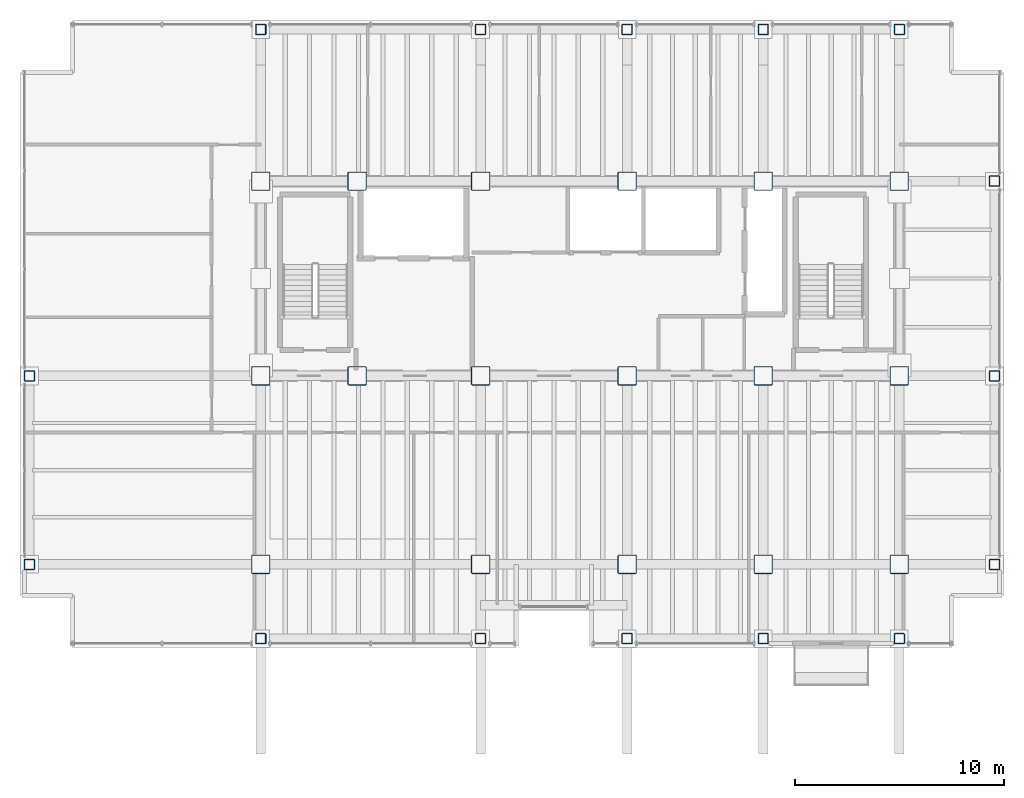
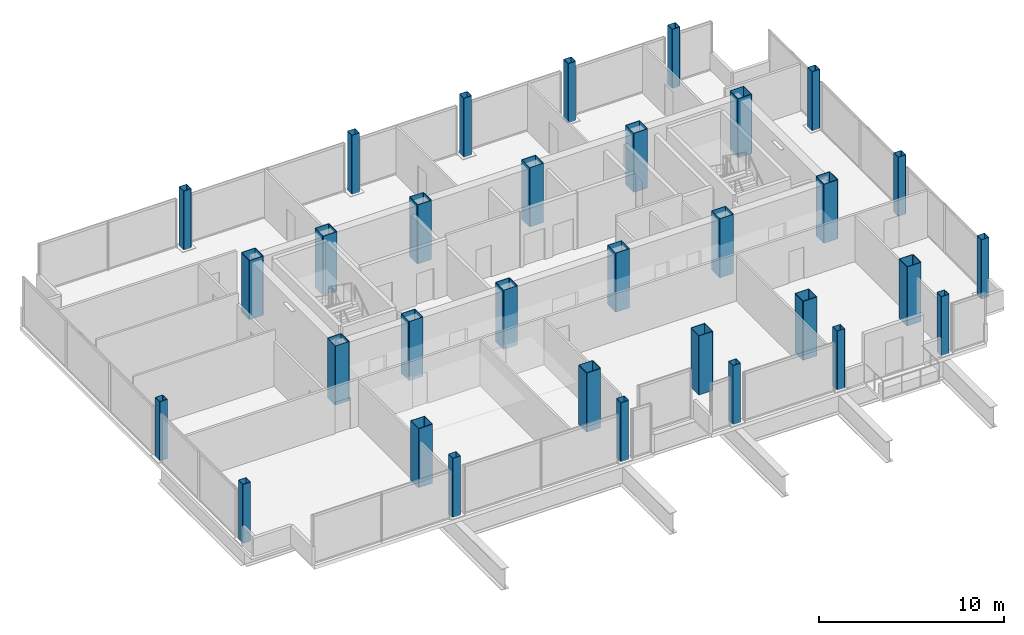
# One storey, part 1 of 24: 32 columns.
"""IFC4 building model written with IfcOpenShell, lengths in metres."""

from ifc_helpers import new_model, si_unit, direction, frame, origin, origin_2d, place, context, subcontext, project, spatial, hollow_rectangle, extrude, material, material_profile, profile_set, type_object, element, save


model = new_model("IFC4")

# Units and contexts
model_context = context("Model", 3, precision=1e-05, world=origin(), true_north=direction((0.0, 1.0)))
body_context = subcontext(model_context, "Body", "Model", "MODEL_VIEW")
ifc_project = project(units=[si_unit("LENGTHUNIT", "METRE"), si_unit("AREAUNIT", "SQUARE_METRE"), si_unit("VOLUMEUNIT", "CUBIC_METRE"), si_unit("PLANEANGLEUNIT", "RADIAN"), si_unit("MASSUNIT", "GRAM", prefix="KILO")], contexts=[model_context])

# Site, building, storey
site_placement = place(None, origin())
site = spatial("IfcSite", under=ifc_project, at=site_placement, CompositionType="ELEMENT")
building_placement = place(site_placement, origin())
building = spatial("IfcBuilding", under=site, at=building_placement, Name="Noeulbin Bourse Tower", CompositionType="ELEMENT")
storey_placement = place(building_placement, frame((0.0, 0.0, 142.199951171875)))
storey = spatial("IfcBuildingStorey", under=building, at=storey_placement, Name="L35", CompositionType="ELEMENT", Elevation=142.199951171875)

# Columns
ifc_material_1 = material(Name="Steel S355", Category="steel")
ifc_material_profile_1 = material_profile(ifc_material_1, hollow_rectangle(XDim=0.5, YDim=0.5, WallThickness=0.02392578125, InnerFilletRadius=0.011962890625, OuterFilletRadius=0.035888671875, at=origin_2d()), Name="BOX-500x500x24", Category="LoadBearing")
ifc_profile_set_1 = profile_set([ifc_material_profile_1], Name="Steel S355")
column_type_1 = type_object("IfcColumnType", Name="COL-PER-Z2", PredefinedType="COLUMN", material=ifc_profile_set_1)
for number, where, z_axis, x_axis, name in (
    (1, (2.449951171875, 20.0, 0.0), (0.0, 0.0, 1.0), (1.0, 0.0, 0.0), "Tower Perimeter Column COL-PER-Z2 01"),
    (2, (2.449951171875, 29.0, 0.0), (0.0, 0.0, 1.0), (1.0, 0.0, 0.0), "Tower Perimeter Column COL-PER-Z2 02"),
    (3, (13.5, 16.449951171875, 0.0), (0.0, 0.0, 1.0), (1.0, 0.0, 0.0), "Tower Perimeter Column COL-PER-Z2 03"),
    (4, (13.5, 45.550048828125, 0.0), (0.0, 0.0, 1.0), (1.0, 0.0, 0.0), "Tower Perimeter Column COL-PER-Z2 04"),
    (5, (24.0, 16.449951171875, 0.0), (0.0, 0.0, 1.0), (1.0, 0.0, 0.0), "Tower Perimeter Column COL-PER-Z2 05"),
    (6, (24.0, 45.550048828125, 0.0), (0.0, 0.0, 1.0), (1.0, 0.0, 0.0), "Tower Perimeter Column COL-PER-Z2 06"),
    (7, (31.0, 16.449951171875, 0.0), (0.0, 0.0, 1.0), (1.0, 0.0, 0.0), "Tower Perimeter Column COL-PER-Z2 07"),
    (8, (31.0, 45.550048828125, 0.0), (0.0, 0.0, 1.0), (1.0, 0.0, 0.0), "Tower Perimeter Column COL-PER-Z2 08"),
    (9, (37.5, 16.449951171875, 0.0), (0.0, 0.0, 1.0), (1.0, 0.0, 0.0), "Tower Perimeter Column COL-PER-Z2 09"),
    (10, (37.5, 45.550048828125, 0.0), (0.0, 0.0, 1.0), (1.0, 0.0, 0.0), "Tower Perimeter Column COL-PER-Z2 10"),
    (11, (44.0, 16.449951171875, 0.0), (0.0, 0.0, 1.0), (1.0, 0.0, 0.0), "Tower Perimeter Column COL-PER-Z2 11"),
    (12, (44.0, 45.550048828125, 0.0), (0.0, 0.0, 1.0), (1.0, 0.0, 0.0), "Tower Perimeter Column COL-PER-Z2 12"),
    (13, (48.550048828125, 20.0, 0.0), (0.0, 0.0, 1.0), (1.0, 0.0, 0.0), "Tower Perimeter Column COL-PER-Z2 13"),
    (14, (48.550048828125, 29.0, 0.0), (0.0, 0.0, 1.0), (1.0, 0.0, 0.0), "Tower Perimeter Column COL-PER-Z2 14"),
    (15, (48.550048828125, 38.300048828125, 0.0), (0.0, 0.0, 1.0), (1.0, 0.0, 0.0), "Tower Perimeter Column COL-PER-Z2 15"),
):
    element("IfcColumn", number, at=place(storey_placement, frame(where, z_axis=z_axis, x_axis=x_axis)), inside=storey, type_object=column_type_1, Name=name, PredefinedType="COLUMN", context=body_context, shape_type="SweptSolid", body=[
        extrude(hollow_rectangle(XDim=0.5, YDim=0.5, WallThickness=0.02392578125, InnerFilletRadius=0.011962890625, OuterFilletRadius=0.035888671875, at=origin_2d()), origin(), (0.0, 0.0, 1.0), 3.900146484375),
    ])
ifc_material_2 = material(Name="Steel S460", Category="steel")
ifc_material_profile_2 = material_profile(ifc_material_2, hollow_rectangle(XDim=0.89990234375, YDim=0.89990234375, WallThickness=0.034912109375, InnerFilletRadius=0.01708984375, OuterFilletRadius=0.052001953125, at=origin_2d()), Name="BOX-900x900x35", Category="LoadBearing")
ifc_profile_set_2 = profile_set([ifc_material_profile_2], Name="Steel S460")
column_type_2 = type_object("IfcColumnType", Name="COL-TRK-Z2", PredefinedType="COLUMN", material=ifc_profile_set_2)
for number, where, z_axis, x_axis, name in (
    (16, (13.5, 29.0, 0.0), (0.0, 0.0, 1.0), (1.0, 0.0, 0.0), "Tower Trunk Mega-Column COL-TRK-Z2 01"),
    (17, (13.5, 38.300048828125, 0.0), (0.0, 0.0, 1.0), (1.0, 0.0, 0.0), "Tower Trunk Mega-Column COL-TRK-Z2 02"),
    (18, (18.10009765625, 29.0, 0.0), (0.0, 0.0, 1.0), (1.0, 0.0, 0.0), "Tower Trunk Mega-Column COL-TRK-Z2 03"),
    (19, (18.10009765625, 38.300048828125, 0.0), (0.0, 0.0, 1.0), (1.0, 0.0, 0.0), "Tower Trunk Mega-Column COL-TRK-Z2 04"),
    (20, (24.0, 29.0, 0.0), (0.0, 0.0, 1.0), (1.0, 0.0, 0.0), "Tower Trunk Mega-Column COL-TRK-Z2 05"),
    (21, (24.0, 38.300048828125, 0.0), (0.0, 0.0, 1.0), (1.0, 0.0, 0.0), "Tower Trunk Mega-Column COL-TRK-Z2 06"),
    (22, (31.0, 29.0, 0.0), (0.0, 0.0, 1.0), (1.0, 0.0, 0.0), "Tower Trunk Mega-Column COL-TRK-Z2 07"),
    (23, (31.0, 38.300048828125, 0.0), (0.0, 0.0, 1.0), (1.0, 0.0, 0.0), "Tower Trunk Mega-Column COL-TRK-Z2 08"),
    (24, (37.5, 29.0, 0.0), (0.0, 0.0, 1.0), (1.0, 0.0, 0.0), "Tower Trunk Mega-Column COL-TRK-Z2 09"),
    (25, (37.5, 38.300048828125, 0.0), (0.0, 0.0, 1.0), (1.0, 0.0, 0.0), "Tower Trunk Mega-Column COL-TRK-Z2 10"),
    (26, (44.0, 29.0, 0.0), (0.0, 0.0, 1.0), (1.0, 0.0, 0.0), "Tower Trunk Mega-Column COL-TRK-Z2 11"),
    (27, (44.0, 38.300048828125, 0.0), (0.0, 0.0, 1.0), (1.0, 0.0, 0.0), "Tower Trunk Mega-Column COL-TRK-Z2 12"),
    (28, (13.5, 20.0, 0.0), (0.0, 0.0, 1.0), (1.0, 0.0, 0.0), "Tower Trunk Mega-Column COL-TRK-Z2 13"),
    (29, (24.0, 20.0, 0.0), (0.0, 0.0, 1.0), (1.0, 0.0, 0.0), "Tower Trunk Mega-Column COL-TRK-Z2 14"),
    (30, (31.0, 20.0, 0.0), (0.0, 0.0, 1.0), (1.0, 0.0, 0.0), "Tower Trunk Mega-Column COL-TRK-Z2 15"),
    (31, (37.5, 20.0, 0.0), (0.0, 0.0, 1.0), (1.0, 0.0, 0.0), "Tower Trunk Mega-Column COL-TRK-Z2 16"),
    (32, (44.0, 20.0, 0.0), (0.0, 0.0, 1.0), (1.0, 0.0, 0.0), "Tower Trunk Mega-Column COL-TRK-Z2 17"),
):
    element("IfcColumn", number, at=place(storey_placement, frame(where, z_axis=z_axis, x_axis=x_axis)), inside=storey, type_object=column_type_2, Name=name, PredefinedType="COLUMN", context=body_context, shape_type="SweptSolid", body=[
        extrude(hollow_rectangle(XDim=0.89990234375, YDim=0.89990234375, WallThickness=0.034912109375, InnerFilletRadius=0.01708984375, OuterFilletRadius=0.052001953125, at=origin_2d()), origin(), (0.0, 0.0, 1.0), 3.900146484375),
    ])

save(model, "model.ifc")
